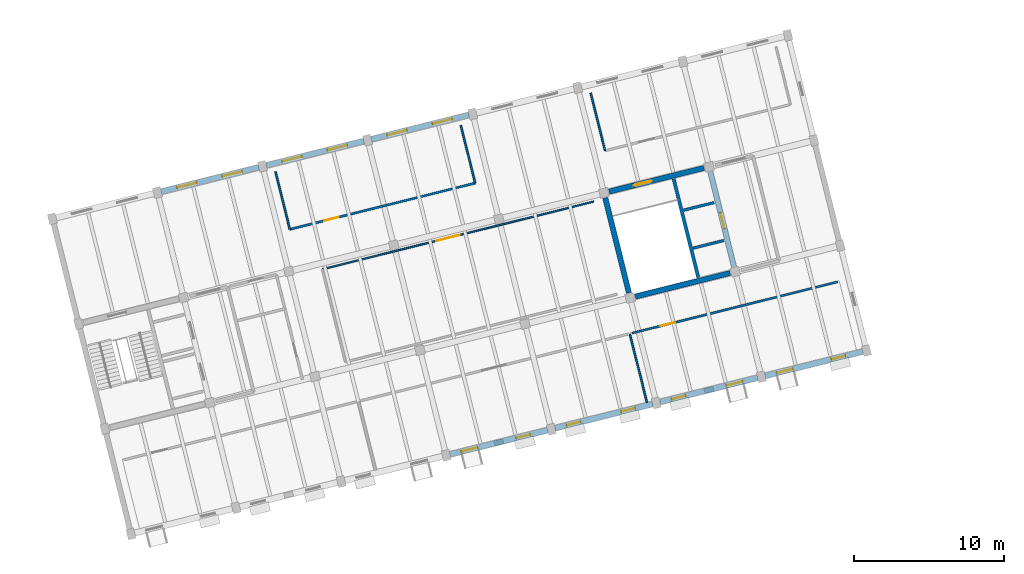
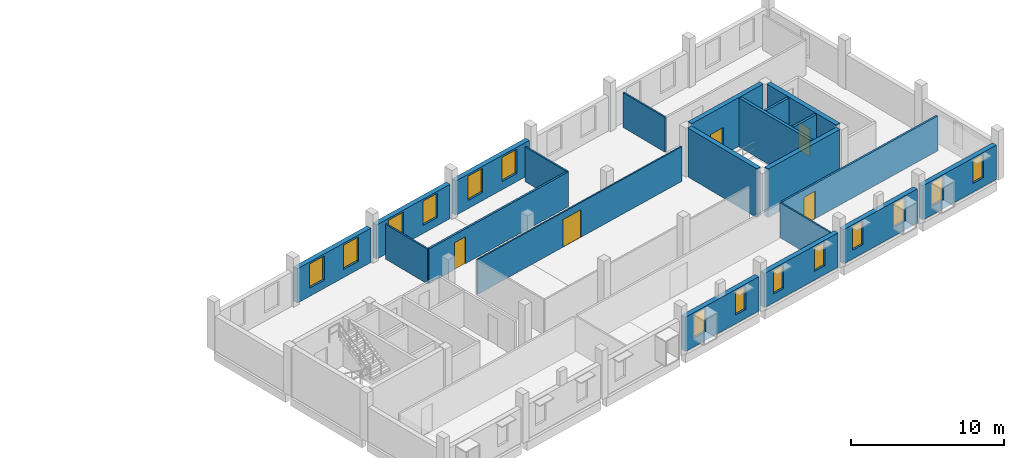
# One storey, part 7 of 14: 21 walls, 14 windows, 5 doors, 19 openings.
"""IFC4 building model written with IfcOpenShell, lengths in metres."""

import ifcopenshell
import ifcopenshell.guid

model = None  # the IFC model being written
_history = None  # IfcOwnerHistory: only IFC2X3 demands one
_inside = {}  # id of a spatial element -> (the spatial element, [elements in it])
_under = {}  # id of a project, library or spatial element -> (it, [spatial elements below it])
_declared = {}  # id of a project -> (the project, [libraries it declares])
_typed = {}  # id of a type object -> (the type object, [elements of that type])
_made_of = {}  # id of a material, layer set ... -> (it, [elements and type objects made of it])


def new_model(schema):
    """Start an empty IFC model of exactly this schema.

    Asked for "IFC4X3", IfcOpenShell would pick the latest addendum, in which some entities
    have other attributes; the version numbers below select the first issue.
    IFC2X3 requires an IfcOwnerHistory on every rooted entity: one is made here for all.
    """
    global model, _history
    if schema == "IFC4X3":
        model = ifcopenshell.file(schema_version=(4, 3, 0, 0))
    else:
        model = ifcopenshell.file(schema=schema)
    _inside.clear()
    _under.clear()
    _declared.clear()
    _typed.clear()
    _made_of.clear()
    _history = None
    if model.schema == "IFC2X3":
        org = make("IfcOrganization", Name="unknown")
        user = make(
            "IfcPersonAndOrganization",
            ThePerson=make("IfcPerson", FamilyName="unknown"),
            TheOrganization=org,
        )
        app = make(
            "IfcApplication",
            ApplicationDeveloper=org,
            Version="unknown",
            ApplicationFullName="unknown",
            ApplicationIdentifier="unknown",
        )
        _history = make(
            "IfcOwnerHistory",
            OwningUser=user,
            OwningApplication=app,
            ChangeAction="ADDED",
            CreationDate=0,
        )
    return model


def make(cls, **values):
    """One entity of the class cls with the attributes given. An attribute that is None is left unset."""
    return model.create_entity(
        cls, **{name: value for name, value in values.items() if value is not None}
    )


def rooted(cls, **values):
    """An entity with a GlobalId (a new one), such as an element, a storey or a relation."""
    return make(cls, GlobalId=ifcopenshell.guid.new(), OwnerHistory=_history, **values)


def si_unit(unit_type, name, prefix=None):
    """IfcSIUnit, for example si_unit("LENGTHUNIT", "METRE", prefix="MILLI")."""
    return make("IfcSIUnit", UnitType=unit_type, Prefix=prefix, Name=name)


def assignment(units):
    """IfcUnitAssignment: the units of a project."""
    return None if units is None else make("IfcUnitAssignment", Units=units)


def point(xyz):
    """IfcCartesianPoint."""
    return None if xyz is None else make("IfcCartesianPoint", Coordinates=xyz)


def direction(xyz):
    """IfcDirection."""
    return None if xyz is None else make("IfcDirection", DirectionRatios=xyz)


def frame(location, z_axis=None, x_axis=None):
    """IfcAxis2Placement3D, a coordinate frame: its origin and axes. An axis left out is left unset."""
    return make(
        "IfcAxis2Placement3D",
        Location=point(location),
        Axis=direction(z_axis),
        RefDirection=direction(x_axis),
    )


def frame_2d(location, x_axis=None):
    """IfcAxis2Placement2D, a coordinate frame in the plane: its origin and x axis."""
    return make(
        "IfcAxis2Placement2D", Location=point(location), RefDirection=direction(x_axis)
    )


def origin():
    """The frame at (0, 0, 0) with its axes left unset."""
    return frame((0.0, 0.0, 0.0))


def place(relative_to, where):
    """IfcLocalPlacement: puts the frame where relative to a parent placement (None: the world)."""
    return make(
        "IfcLocalPlacement", PlacementRelTo=relative_to, RelativePlacement=where
    )


def context(
    kind, dimensions, precision=None, world=None, true_north=None, identifier=None
):
    """IfcGeometricRepresentationContext, for example the 3D "Model" context."""
    return make(
        "IfcGeometricRepresentationContext",
        ContextIdentifier=identifier,
        ContextType=kind,
        CoordinateSpaceDimension=dimensions,
        Precision=precision,
        WorldCoordinateSystem=world,
        TrueNorth=true_north,
    )


def subcontext(parent, identifier, kind, view, scale=None):
    """IfcGeometricRepresentationSubContext, for example "Body" below "Model"."""
    return make(
        "IfcGeometricRepresentationSubContext",
        ContextIdentifier=identifier,
        ContextType=kind,
        ParentContext=parent,
        TargetScale=scale,
        TargetView=view,
    )


def project(units=None, contexts=None):
    """IfcProject with its units and contexts."""
    return rooted(
        "IfcProject",
        Name="project",
        RepresentationContexts=contexts,
        UnitsInContext=assignment(units),
    )


def spatial(cls, under=None, at=None, **own):
    """A site, building, storey or space (cls), placed at a placement, below another one or the project."""
    s = rooted(cls, ObjectPlacement=at, **own)
    if under is not None:
        _under.setdefault(under.id(), (under, []))[1].append(s)
    return s


def profile(cls, at=None, kind="AREA", **sizes):
    """A parametric profile (cls). Its sizes go by their IFC names, for example OverallWidth=200.0."""
    return make(cls, ProfileType=kind, Position=at, **sizes)


def rectangle(**sizes):
    """IfcRectangleProfileDef."""
    return profile("IfcRectangleProfileDef", **sizes)


def extrude(swept, where, along, depth):
    """IfcExtrudedAreaSolid: the profile swept, set in the frame where, extruded along a direction by depth."""
    return make(
        "IfcExtrudedAreaSolid",
        SweptArea=swept,
        Position=where,
        ExtrudedDirection=direction(along),
        Depth=depth,
    )


def shape(context_of_items, identifier, shape_type, items):
    """IfcShapeRepresentation: the items that make up one representation, for example the "Body"."""
    return make(
        "IfcShapeRepresentation",
        ContextOfItems=context_of_items,
        RepresentationIdentifier=identifier,
        RepresentationType=shape_type,
        Items=items,
    )


def material(Name=None, Category=None):
    """IfcMaterial."""
    return make("IfcMaterial", Name=Name, Category=Category)


def layer(
    of_material, thickness, ventilated=None, Name=None, Category=None, Priority=None
):
    """IfcMaterialLayer: one layer of a wall or slab, of a material (None: an air gap)."""
    return make(
        "IfcMaterialLayer",
        Material=of_material,
        LayerThickness=thickness,
        IsVentilated=ventilated,
        Name=Name,
        Category=Category,
        Priority=Priority,
    )


def layer_set(layers, Name=None):
    """IfcMaterialLayerSet."""
    return make("IfcMaterialLayerSet", MaterialLayers=layers, LayerSetName=Name)


def made_of(thing, what):
    """Note that an element or type object is made of a material, layer set ...; save() writes the relation."""
    if what is not None:
        _made_of.setdefault(what.id(), (what, []))[1].append(thing)
    return thing


def type_object(cls, material=None, **own):
    """A type object (cls), such as IfcWallType, which elements share."""
    return made_of(rooted(cls, **own), material)


def element(
    cls,
    number,
    at=None,
    inside=None,
    cuts=None,
    type_object=None,
    material=None,
    context=None,
    identifier="Body",
    shape_type=None,
    held_by="IfcProductDefinitionShape",
    body=None,
    shapes=None,
    **own,
):
    """One element of the class cls, such as IfcWall. Its Tag is "e" and its number.

    at: its placement. inside: the storey or other place that contains it. cuts: it is an
    opening in that element (IfcRelVoidsElement). A single representation is given by context,
    identifier, shape_type and body (its items); several are given by shapes. held_by: the class
    of the entity that holds the representations. save() writes the other relations.
    """
    e = rooted(cls, Tag="e%d" % number, ObjectPlacement=at, **own)
    if body is not None:
        shapes = [shape(context, identifier, shape_type, body)]
    if shapes is not None:
        e.Representation = make(held_by, Representations=shapes)
    if inside is not None:
        _inside.setdefault(inside.id(), (inside, []))[1].append(e)
    if cuts is not None:
        rooted(
            "IfcRelVoidsElement", RelatingBuildingElement=cuts, RelatedOpeningElement=e
        )
    if type_object is not None:
        _typed.setdefault(type_object.id(), (type_object, []))[1].append(e)
    return made_of(e, material)


def fill(opening, filler):
    """IfcRelFillsElement: the door or window that sits in an opening."""
    return rooted(
        "IfcRelFillsElement",
        RelatingOpeningElement=opening,
        RelatedBuildingElement=filler,
    )


def aggregate(whole, parts):
    """IfcRelAggregates: a whole, such as a stair, and the parts it consists of."""
    return rooted("IfcRelAggregates", RelatingObject=whole, RelatedObjects=parts)


def save(model, path):
    """Write the relations noted so far, then the file.

    IfcRelAggregates (storeys below a building ...), IfcRelContainedInSpatialStructure (elements
    in a storey), IfcRelDefinesByType, IfcRelAssociatesMaterial and IfcRelDeclares: one each for
    every whole, place, type object, material and project.
    """
    for whole, parts in _under.values():
        aggregate(whole, parts)
    for where, things in _inside.values():
        rooted(
            "IfcRelContainedInSpatialStructure",
            RelatedElements=things,
            RelatingStructure=where,
        )
    for kind, things in _typed.values():
        rooted("IfcRelDefinesByType", RelatedObjects=things, RelatingType=kind)
    for what, things in _made_of.values():
        rooted("IfcRelAssociatesMaterial", RelatedObjects=things, RelatingMaterial=what)
    for by, libraries in _declared.values():
        rooted("IfcRelDeclares", RelatingContext=by, RelatedDefinitions=libraries)
    model.write(path)


model = new_model("IFC4")

# Units and contexts
model_context = context("Model", 3, precision=1e-05, world=origin(), true_north=direction((0.0, 1.0)))
body_context = subcontext(model_context, "Body", "Model", "MODEL_VIEW")
ifc_project = project(units=[si_unit("LENGTHUNIT", "METRE"), si_unit("AREAUNIT", "SQUARE_METRE"), si_unit("VOLUMEUNIT", "CUBIC_METRE"), si_unit("PLANEANGLEUNIT", "RADIAN"), si_unit("MASSUNIT", "GRAM", prefix="KILO")], contexts=[model_context])

# Site, building, storey
site_placement = place(None, origin())
site = spatial("IfcSite", under=ifc_project, at=site_placement, CompositionType="ELEMENT")
building_placement = place(site_placement, origin())
building = spatial("IfcBuilding", under=site, at=building_placement, Name="Qiaolan Assembly House", CompositionType="ELEMENT")
storey_placement = place(building_placement, frame((0.0, 0.0, 22.5)))
storey = spatial("IfcBuildingStorey", under=building, at=storey_placement, Name="L05", CompositionType="ELEMENT", Elevation=22.5)

# Wall
ifc_material_1 = material(Name="Concrete C40/50", Category="concrete")
ifc_layer_1 = layer(ifc_material_1, 0.35009765625)
ifc_layer_set_1 = layer_set([ifc_layer_1], Name="Concrete C40/50")
wall_type_1 = type_object("IfcWallType", Name="WAL-CORE-350", PredefinedType="SHEAR", material=ifc_layer_set_1)
wall_1_placement = place(storey_placement, frame((76.5146484375, 17.521728515625, 0.0), z_axis=(0.0, 0.0, 1.0), x_axis=(0.970294759049, 0.241925774902, 0.0)))
element("IfcWall", 1, at=wall_1_placement, inside=storey, type_object=wall_type_1, Name="CW-350 shear core wall CORE-D S L05", PredefinedType="SHEAR", context=body_context, shape_type="SweptSolid", body=[
    extrude(rectangle(XDim=6.5, YDim=0.35009765625, at=frame_2d((3.25, 0.0))), origin(), (0.0, 0.0, 1.0), 3.89990234375),
])

# Wall, opening, door
wall_2_placement = place(storey_placement, frame((83.076416015625, 19.5185546875, 0.0), z_axis=(0.0, 0.0, 1.0), x_axis=(-0.241925774902, 0.970294759049, 0.0)))
wall_2 = element("IfcWall", 2, at=wall_2_placement, inside=storey, type_object=wall_type_1, Name="CW-350 shear core wall CORE-D E L05", PredefinedType="SHEAR", context=body_context, shape_type="SweptSolid", body=[
    extrude(rectangle(XDim=6.5, YDim=0.35009765625, at=frame_2d((3.25, 0.0))), origin(), (0.0, 0.0, 1.0), 3.89990234375),
])
opening_1_placement = place(wall_2_placement, frame((2.60009765625, 0.0, 0.0)))
opening_1 = element("IfcOpeningElement", 3, at=opening_1_placement, cuts=wall_2, Name="Opening LD-063", PredefinedType="OPENING", context=body_context, shape_type="SweptSolid", body=[
    extrude(rectangle(XDim=1.10009765625, YDim=2.199951171875, at=frame_2d((0.550048828125, 1.10009765625))), frame((0.0, 0.18505859375, 0.0), z_axis=(0.0, -1.0, 0.0), x_axis=(1.0, 0.0, 0.0)), (0.0, 0.0, 1.0), 0.3701171875),
])
ifc_material_2 = material(Name="Anodised bronze aluminium", Category="aluminium")
door_type_1 = type_object("IfcDoorType", Name="DOR-LIFT-LD1100", OperationType="SLIDING_TO_LEFT", PredefinedType="DOOR", material=ifc_material_2)
door_1_placement = place(opening_1_placement, origin())
door_1 = element("IfcDoor", 4, at=door_1_placement, inside=storey, type_object=door_type_1, Name="Lift landing door LD-063 (LF-08 L05)", OperationType="SLIDING_TO_LEFT", OverallHeight=2.199951171875, OverallWidth=1.10009765625, PredefinedType="DOOR", context=body_context, shape_type="SweptSolid", body=[
    extrude(rectangle(XDim=1.10009765625, YDim=2.199951171875, at=frame_2d((0.550048828125, 1.10009765625))), frame((0.0, 0.02490234375, 0.0), z_axis=(0.0, -1.0, 0.0), x_axis=(1.0, 0.0, 0.0)), (0.0, 0.0, 1.0), 0.050048828125),
])
fill(opening_1, door_1)

wall_3_placement = place(storey_placement, frame((81.07958984375, 26.08056640625, 0.0), z_axis=(0.0, 0.0, 1.0), x_axis=(-0.970294759049, -0.241925774902, 0.0)))
wall_3 = element("IfcWall", 5, at=wall_3_placement, inside=storey, type_object=wall_type_1, Name="CW-350 shear core wall CORE-D N L05", PredefinedType="SHEAR", context=body_context, shape_type="SweptSolid", body=[
    extrude(rectangle(XDim=6.5, YDim=0.35009765625, at=frame_2d((3.25, 0.0))), origin(), (0.0, 0.0, 1.0), 3.89990234375),
])
opening_2_placement = place(wall_3_placement, frame((3.60009765625, 0.0, 0.0)))
opening_2 = element("IfcOpeningElement", 6, at=opening_2_placement, cuts=wall_3, Name="Opening FD-105", PredefinedType="OPENING", context=body_context, shape_type="SweptSolid", body=[
    extrude(rectangle(XDim=1.199951171875, YDim=2.199951171875, at=frame_2d((0.60009765625, 1.10009765625))), frame((0.0, 0.18505859375, 0.0), z_axis=(0.0, -1.0, 0.0), x_axis=(1.0, 0.0, 0.0)), (0.0, 0.0, 1.0), 0.3701171875),
])
ifc_material_3 = material(Name="Steel Q355B", Category="steel")
door_type_2 = type_object("IfcDoorType", Name="DOR-FIRE-FD90-1200", OperationType="NOTDEFINED", PredefinedType="DOOR", material=ifc_material_3)
door_2_placement = place(opening_2_placement, frame((1.199951171875, 0.0, 0.0), z_axis=(0.0, 0.0, 1.0), x_axis=(-1.0, 0.0, 0.0)))
door_2 = element("IfcDoor", 7, at=door_2_placement, inside=storey, type_object=door_type_2, Name="Stairwell fire door FD-105 (CORE-D L05)", OperationType="SINGLE_SWING_RIGHT", OverallHeight=2.199951171875, OverallWidth=1.199951171875, PredefinedType="DOOR", context=body_context, shape_type="SweptSolid", body=[
    extrude(rectangle(XDim=1.199951171875, YDim=2.199951171875, at=frame_2d((0.60009765625, 1.10009765625))), frame((0.0, 0.02490234375, 0.0), z_axis=(0.0, -1.0, 0.0), x_axis=(1.0, 0.0, 0.0)), (0.0, 0.0, 1.0), 0.050048828125),
])
fill(opening_2, door_2)

# Wall
wall_4_placement = place(storey_placement, frame((74.517822265625, 24.083740234375, 0.0), z_axis=(0.0, 0.0, 1.0), x_axis=(0.241925774902, -0.970294759049, 0.0)))
element("IfcWall", 8, at=wall_4_placement, inside=storey, type_object=wall_type_1, Name="CW-350 shear core wall CORE-D W L05", PredefinedType="SHEAR", context=body_context, shape_type="SweptSolid", body=[
    extrude(rectangle(XDim=6.5, YDim=0.35009765625, at=frame_2d((3.25, 0.0))), origin(), (0.0, 0.0, 1.0), 3.89990234375),
])

# Wall, openings, windows
ifc_material_4 = material(Name="Honed pale limestone", Category="masonry")
ifc_layer_2 = layer(ifc_material_4, 0.360107421875)
ifc_layer_set_2 = layer_set([ifc_layer_2], Name="Honed pale limestone")
wall_type_2 = type_object("IfcWallType", Name="WAL-EXT-LIMESTONE-360", PredefinedType="SOLIDWALL", material=ifc_layer_set_2)
wall_5_placement = place(storey_placement, frame((64.19482421875, 7.02978515625, 0.0), z_axis=(0.0, 0.0, 1.0), x_axis=(0.970299141957, 0.24190819564, 0.0)))
wall_5 = element("IfcWall", 9, at=wall_5_placement, inside=storey, type_object=wall_type_2, Name="EW-360 SE South boulevard wall L05 bay 4", PredefinedType="SOLIDWALL", context=body_context, shape_type="SweptSolid", body=[
    extrude(rectangle(XDim=6.68408203125, YDim=0.360107421875, at=frame_2d((3.342041015625, 0.0))), origin(), (0.0, 0.0, 1.0), 2.739990234375),
])
opening_3_placement = place(wall_5_placement, frame((0.7919921875, 0.0, 0.699951171875)))
opening_3 = element("IfcOpeningElement", 10, at=opening_3_placement, cuts=wall_5, Name="Opening WN-376", PredefinedType="OPENING", context=body_context, shape_type="SweptSolid", body=[
    extrude(rectangle(XDim=1.10009765625, YDim=1.889892578125, at=frame_2d((0.550048828125, 0.94482421875))), frame((0.0, 0.18994140625, 0.0), z_axis=(0.0, -1.0, 0.0), x_axis=(1.0, 0.0, 0.0)), (0.0, 0.0, 1.0), 0.380126953125),
])
opening_4_placement = place(wall_5_placement, frame((4.5419921875, 0.0, 0.699951171875)))
opening_4 = element("IfcOpeningElement", 11, at=opening_4_placement, cuts=wall_5, Name="Opening WN-377", PredefinedType="OPENING", context=body_context, shape_type="SweptSolid", body=[
    extrude(rectangle(XDim=0.949951171875, YDim=1.889892578125, at=frame_2d((0.47509765625, 0.94482421875))), frame((0.0, 0.18994140625, 0.0), z_axis=(0.0, -1.0, 0.0), x_axis=(1.0, 0.0, 0.0)), (0.0, 0.0, 1.0), 0.380126953125),
])
ifc_material_5 = material(Name="Low-E double insulating glass", Category="glass")
window_type_1 = type_object("IfcWindowType", Name="WIN-BOX-1100x2350", PartitioningType="SINGLE_PANEL", PredefinedType="WINDOW", material=ifc_material_5)
window_1_placement = place(opening_3_placement, origin())
window_1 = element("IfcWindow", 12, at=window_1_placement, inside=storey, type_object=window_type_1, Name="WN-T11 splayed window WN-376", OverallHeight=1.889892578125, OverallWidth=1.10009765625, PartitioningType="SINGLE_PANEL", PredefinedType="WINDOW", context=body_context, shape_type="SweptSolid", body=[
    extrude(rectangle(XDim=1.10009765625, YDim=1.889892578125, at=frame_2d((0.550048828125, 0.94482421875))), frame((0.0, 0.030029296875, 0.0), z_axis=(0.0, -1.0, 0.0), x_axis=(1.0, 0.0, 0.0)), (0.0, 0.0, 1.0), 0.06005859375),
])
fill(opening_3, window_1)
window_type_2 = type_object("IfcWindowType", Name="WIN-PUNCH-950x2150", PartitioningType="SINGLE_PANEL", PredefinedType="WINDOW", material=ifc_material_5)
window_2_placement = place(opening_4_placement, origin())
window_2 = element("IfcWindow", 13, at=window_2_placement, inside=storey, type_object=window_type_2, Name="WN-T14 splayed window WN-377", OverallHeight=1.889892578125, OverallWidth=0.949951171875, PartitioningType="SINGLE_PANEL", PredefinedType="WINDOW", context=body_context, shape_type="SweptSolid", body=[
    extrude(rectangle(XDim=0.949951171875, YDim=1.889892578125, at=frame_2d((0.47509765625, 0.94482421875))), frame((0.0, 0.030029296875, 0.0), z_axis=(0.0, -1.0, 0.0), x_axis=(1.0, 0.0, 0.0)), (0.0, 0.0, 1.0), 0.06005859375),
])
fill(opening_4, window_2)

wall_6_placement = place(storey_placement, frame((71.180908203125, 8.771484375, 0.0), z_axis=(0.0, 0.0, 1.0), x_axis=(0.970290568044, 0.2419425832, 0.0)))
wall_6 = element("IfcWall", 14, at=wall_6_placement, inside=storey, type_object=wall_type_2, Name="EW-360 SE South boulevard wall L05 bay 5", PredefinedType="SOLIDWALL", context=body_context, shape_type="SweptSolid", body=[
    extrude(rectangle(XDim=6.68408203125, YDim=0.360107421875, at=frame_2d((3.342041015625, 0.0))), origin(), (0.0, 0.0, 1.0), 2.739990234375),
])
opening_5_placement = place(wall_6_placement, frame((0.7919921875, 0.0, 0.699951171875)))
opening_5 = element("IfcOpeningElement", 15, at=opening_5_placement, cuts=wall_6, Name="Opening WN-378", PredefinedType="OPENING", context=body_context, shape_type="SweptSolid", body=[
    extrude(rectangle(XDim=0.949951171875, YDim=1.889892578125, at=frame_2d((0.47509765625, 0.94482421875))), frame((0.0, 0.18994140625, 0.0), z_axis=(0.0, -1.0, 0.0), x_axis=(1.0, 0.0, 0.0)), (0.0, 0.0, 1.0), 0.380126953125),
])
opening_6_placement = place(wall_6_placement, frame((4.5419921875, 0.0, 0.699951171875)))
opening_6 = element("IfcOpeningElement", 16, at=opening_6_placement, cuts=wall_6, Name="Opening WN-379", PredefinedType="OPENING", context=body_context, shape_type="SweptSolid", body=[
    extrude(rectangle(XDim=0.949951171875, YDim=1.889892578125, at=frame_2d((0.47509765625, 0.94482421875))), frame((0.0, 0.18994140625, 0.0), z_axis=(0.0, -1.0, 0.0), x_axis=(1.0, 0.0, 0.0)), (0.0, 0.0, 1.0), 0.380126953125),
])
window_3_placement = place(opening_5_placement, origin())
window_3 = element("IfcWindow", 17, at=window_3_placement, inside=storey, type_object=window_type_2, Name="WN-T14 splayed window WN-378", OverallHeight=1.889892578125, OverallWidth=0.949951171875, PartitioningType="SINGLE_PANEL", PredefinedType="WINDOW", context=body_context, shape_type="SweptSolid", body=[
    extrude(rectangle(XDim=0.949951171875, YDim=1.889892578125, at=frame_2d((0.47509765625, 0.94482421875))), frame((0.0, 0.030029296875, 0.0), z_axis=(0.0, -1.0, 0.0), x_axis=(1.0, 0.0, 0.0)), (0.0, 0.0, 1.0), 0.06005859375),
])
fill(opening_5, window_3)
window_4_placement = place(opening_6_placement, origin())
window_4 = element("IfcWindow", 18, at=window_4_placement, inside=storey, type_object=window_type_2, Name="WN-T14 splayed window WN-379", OverallHeight=1.889892578125, OverallWidth=0.949951171875, PartitioningType="SINGLE_PANEL", PredefinedType="WINDOW", context=body_context, shape_type="SweptSolid", body=[
    extrude(rectangle(XDim=0.949951171875, YDim=1.889892578125, at=frame_2d((0.47509765625, 0.94482421875))), frame((0.0, 0.030029296875, 0.0), z_axis=(0.0, -1.0, 0.0), x_axis=(1.0, 0.0, 0.0)), (0.0, 0.0, 1.0), 0.06005859375),
])
fill(opening_6, window_4)

wall_7_placement = place(storey_placement, frame((78.1669921875, 10.513427734375, 0.0), z_axis=(0.0, 0.0, 1.0), x_axis=(0.970299141957, 0.24190819564, 0.0)))
wall_7 = element("IfcWall", 19, at=wall_7_placement, inside=storey, type_object=wall_type_2, Name="EW-360 SE South boulevard wall L05 bay 6", PredefinedType="SOLIDWALL", context=body_context, shape_type="SweptSolid", body=[
    extrude(rectangle(XDim=6.68408203125, YDim=0.360107421875, at=frame_2d((3.342041015625, 0.0))), origin(), (0.0, 0.0, 1.0), 2.739990234375),
])
opening_7_placement = place(wall_7_placement, frame((0.7919921875, 0.0, 0.699951171875)))
opening_7 = element("IfcOpeningElement", 20, at=opening_7_placement, cuts=wall_7, Name="Opening WN-380", PredefinedType="OPENING", context=body_context, shape_type="SweptSolid", body=[
    extrude(rectangle(XDim=0.949951171875, YDim=1.889892578125, at=frame_2d((0.47509765625, 0.94482421875))), frame((0.0, 0.18994140625, 0.0), z_axis=(0.0, -1.0, 0.0), x_axis=(1.0, 0.0, 0.0)), (0.0, 0.0, 1.0), 0.380126953125),
])
opening_8_placement = place(wall_7_placement, frame((4.5419921875, 0.0, 0.699951171875)))
opening_8 = element("IfcOpeningElement", 21, at=opening_8_placement, cuts=wall_7, Name="Opening WN-381", PredefinedType="OPENING", context=body_context, shape_type="SweptSolid", body=[
    extrude(rectangle(XDim=1.10009765625, YDim=1.889892578125, at=frame_2d((0.550048828125, 0.94482421875))), frame((0.0, 0.18994140625, 0.0), z_axis=(0.0, -1.0, 0.0), x_axis=(1.0, 0.0, 0.0)), (0.0, 0.0, 1.0), 0.380126953125),
])
window_5_placement = place(opening_8_placement, origin())
window_5 = element("IfcWindow", 22, at=window_5_placement, inside=storey, type_object=window_type_1, Name="WN-T11 splayed window WN-381", OverallHeight=1.889892578125, OverallWidth=1.10009765625, PartitioningType="SINGLE_PANEL", PredefinedType="WINDOW", context=body_context, shape_type="SweptSolid", body=[
    extrude(rectangle(XDim=1.10009765625, YDim=1.889892578125, at=frame_2d((0.550048828125, 0.94482421875))), frame((0.0, 0.030029296875, 0.0), z_axis=(0.0, -1.0, 0.0), x_axis=(1.0, 0.0, 0.0)), (0.0, 0.0, 1.0), 0.06005859375),
])
fill(opening_8, window_5)
window_6_placement = place(opening_7_placement, origin())
window_6 = element("IfcWindow", 23, at=window_6_placement, inside=storey, type_object=window_type_2, Name="WN-T14 splayed window WN-380", OverallHeight=1.889892578125, OverallWidth=0.949951171875, PartitioningType="SINGLE_PANEL", PredefinedType="WINDOW", context=body_context, shape_type="SweptSolid", body=[
    extrude(rectangle(XDim=0.949951171875, YDim=1.889892578125, at=frame_2d((0.47509765625, 0.94482421875))), frame((0.0, 0.030029296875, 0.0), z_axis=(0.0, -1.0, 0.0), x_axis=(1.0, 0.0, 0.0)), (0.0, 0.0, 1.0), 0.06005859375),
])
fill(opening_7, window_6)

wall_8_placement = place(storey_placement, frame((85.1533203125, 12.25537109375, 0.0), z_axis=(0.0, 0.0, 1.0), x_axis=(0.970297004388, 0.241916769314, 0.0)))
wall_8 = element("IfcWall", 24, at=wall_8_placement, inside=storey, type_object=wall_type_2, Name="EW-360 SE South boulevard wall L05 bay 7", PredefinedType="SOLIDWALL", context=body_context, shape_type="SweptSolid", body=[
    extrude(rectangle(XDim=6.683837890625, YDim=0.360107421875, at=frame_2d((3.341796875, 0.0))), origin(), (0.0, 0.0, 1.0), 2.739990234375),
])
opening_9_placement = place(wall_8_placement, frame((0.7919921875, 0.0, 0.699951171875)))
opening_9 = element("IfcOpeningElement", 25, at=opening_9_placement, cuts=wall_8, Name="Opening WN-382", PredefinedType="OPENING", context=body_context, shape_type="SweptSolid", body=[
    extrude(rectangle(XDim=1.10009765625, YDim=1.889892578125, at=frame_2d((0.550048828125, 0.94482421875))), frame((0.0, 0.18994140625, 0.0), z_axis=(0.0, -1.0, 0.0), x_axis=(1.0, 0.0, 0.0)), (0.0, 0.0, 1.0), 0.380126953125),
])
opening_10_placement = place(wall_8_placement, frame((4.5419921875, 0.0, 0.699951171875)))
opening_10 = element("IfcOpeningElement", 26, at=opening_10_placement, cuts=wall_8, Name="Opening WN-383", PredefinedType="OPENING", context=body_context, shape_type="SweptSolid", body=[
    extrude(rectangle(XDim=0.949951171875, YDim=1.889892578125, at=frame_2d((0.47509765625, 0.94482421875))), frame((0.0, 0.18994140625, 0.0), z_axis=(0.0, -1.0, 0.0), x_axis=(1.0, 0.0, 0.0)), (0.0, 0.0, 1.0), 0.380126953125),
])
window_7_placement = place(opening_9_placement, origin())
window_7 = element("IfcWindow", 27, at=window_7_placement, inside=storey, type_object=window_type_1, Name="WN-T11 splayed window WN-382", OverallHeight=1.889892578125, OverallWidth=1.10009765625, PartitioningType="SINGLE_PANEL", PredefinedType="WINDOW", context=body_context, shape_type="SweptSolid", body=[
    extrude(rectangle(XDim=1.10009765625, YDim=1.889892578125, at=frame_2d((0.550048828125, 0.94482421875))), frame((0.0, 0.030029296875, 0.0), z_axis=(0.0, -1.0, 0.0), x_axis=(1.0, 0.0, 0.0)), (0.0, 0.0, 1.0), 0.06005859375),
])
fill(opening_9, window_7)
window_8_placement = place(opening_10_placement, origin())
window_8 = element("IfcWindow", 28, at=window_8_placement, inside=storey, type_object=window_type_2, Name="WN-T14 splayed window WN-383", OverallHeight=1.889892578125, OverallWidth=0.949951171875, PartitioningType="SINGLE_PANEL", PredefinedType="WINDOW", context=body_context, shape_type="SweptSolid", body=[
    extrude(rectangle(XDim=0.949951171875, YDim=1.889892578125, at=frame_2d((0.47509765625, 0.94482421875))), frame((0.0, 0.030029296875, 0.0), z_axis=(0.0, -1.0, 0.0), x_axis=(1.0, 0.0, 0.0)), (0.0, 0.0, 1.0), 0.06005859375),
])
fill(opening_10, window_8)

wall_9_placement = place(storey_placement, frame((51.482421875, 26.12158203125, 0.0), z_axis=(0.0, 0.0, 1.0), x_axis=(-0.970288429886, -0.241951157942, 0.0)))
wall_9 = element("IfcWall", 29, at=wall_9_placement, inside=storey, type_object=wall_type_2, Name="EW-360 SE North court wall L05 bay 2", PredefinedType="SOLIDWALL", context=body_context, shape_type="SweptSolid", body=[
    extrude(rectangle(XDim=6.683837890625, YDim=0.360107421875, at=frame_2d((3.341796875, 0.0))), origin(), (0.0, 0.0, 1.0), 2.739990234375),
])
opening_11_placement = place(wall_9_placement, frame((1.14208984375, 0.0, 0.64990234375)))
opening_11 = element("IfcOpeningElement", 30, at=opening_11_placement, cuts=wall_9, Name="Opening WN-386", PredefinedType="OPENING", context=body_context, shape_type="SweptSolid", body=[
    extrude(rectangle(XDim=1.35009765625, YDim=1.93994140625, at=frame_2d((0.675048828125, 0.969970703125))), frame((0.0, 0.18994140625, 0.0), z_axis=(0.0, -1.0, 0.0), x_axis=(1.0, 0.0, 0.0)), (0.0, 0.0, 1.0), 0.380126953125),
])
opening_12_placement = place(wall_9_placement, frame((4.241943359375, 0.0, 0.64990234375)))
opening_12 = element("IfcOpeningElement", 31, at=opening_12_placement, cuts=wall_9, Name="Opening WN-387", PredefinedType="OPENING", context=body_context, shape_type="SweptSolid", body=[
    extrude(rectangle(XDim=1.35009765625, YDim=1.93994140625, at=frame_2d((0.675048828125, 0.969970703125))), frame((0.0, 0.18994140625, 0.0), z_axis=(0.0, -1.0, 0.0), x_axis=(1.0, 0.0, 0.0)), (0.0, 0.0, 1.0), 0.380126953125),
])
window_type_3 = type_object("IfcWindowType", Name="WIN-COURT-1350x2150", PartitioningType="DOUBLE_PANEL_VERTICAL", PredefinedType="WINDOW", material=ifc_material_5)
window_9_placement = place(opening_11_placement, origin())
window_9 = element("IfcWindow", 32, at=window_9_placement, inside=storey, type_object=window_type_3, Name="SE court window WN-386", OverallHeight=1.93994140625, OverallWidth=1.35009765625, PartitioningType="DOUBLE_PANEL_VERTICAL", PredefinedType="WINDOW", context=body_context, shape_type="SweptSolid", body=[
    extrude(rectangle(XDim=1.35009765625, YDim=1.93994140625, at=frame_2d((0.675048828125, 0.969970703125))), frame((0.0, 0.030029296875, 0.0), z_axis=(0.0, -1.0, 0.0), x_axis=(1.0, 0.0, 0.0)), (0.0, 0.0, 1.0), 0.06005859375),
])
fill(opening_11, window_9)
window_10_placement = place(opening_12_placement, origin())
window_10 = element("IfcWindow", 33, at=window_10_placement, inside=storey, type_object=window_type_3, Name="SE court window WN-387", OverallHeight=1.93994140625, OverallWidth=1.35009765625, PartitioningType="DOUBLE_PANEL_VERTICAL", PredefinedType="WINDOW", context=body_context, shape_type="SweptSolid", body=[
    extrude(rectangle(XDim=1.35009765625, YDim=1.93994140625, at=frame_2d((0.675048828125, 0.969970703125))), frame((0.0, 0.030029296875, 0.0), z_axis=(0.0, -1.0, 0.0), x_axis=(1.0, 0.0, 0.0)), (0.0, 0.0, 1.0), 0.06005859375),
])
fill(opening_12, window_10)

wall_10_placement = place(storey_placement, frame((58.46875, 27.86328125, 0.0), z_axis=(0.0, 0.0, 1.0), x_axis=(-0.970299141957, -0.24190819564, 0.0)))
wall_10 = element("IfcWall", 34, at=wall_10_placement, inside=storey, type_object=wall_type_2, Name="EW-360 SE North court wall L05 bay 3", PredefinedType="SOLIDWALL", context=body_context, shape_type="SweptSolid", body=[
    extrude(rectangle(XDim=6.68408203125, YDim=0.360107421875, at=frame_2d((3.342041015625, 0.0))), origin(), (0.0, 0.0, 1.0), 2.739990234375),
])
opening_13_placement = place(wall_10_placement, frame((1.14208984375, 0.0, 0.64990234375)))
opening_13 = element("IfcOpeningElement", 35, at=opening_13_placement, cuts=wall_10, Name="Opening WN-388", PredefinedType="OPENING", context=body_context, shape_type="SweptSolid", body=[
    extrude(rectangle(XDim=1.35009765625, YDim=1.93994140625, at=frame_2d((0.675048828125, 0.969970703125))), frame((0.0, 0.18994140625, 0.0), z_axis=(0.0, -1.0, 0.0), x_axis=(1.0, 0.0, 0.0)), (0.0, 0.0, 1.0), 0.380126953125),
])
opening_14_placement = place(wall_10_placement, frame((4.241943359375, 0.0, 0.64990234375)))
opening_14 = element("IfcOpeningElement", 36, at=opening_14_placement, cuts=wall_10, Name="Opening WN-389", PredefinedType="OPENING", context=body_context, shape_type="SweptSolid", body=[
    extrude(rectangle(XDim=1.35009765625, YDim=1.93994140625, at=frame_2d((0.675048828125, 0.969970703125))), frame((0.0, 0.18994140625, 0.0), z_axis=(0.0, -1.0, 0.0), x_axis=(1.0, 0.0, 0.0)), (0.0, 0.0, 1.0), 0.380126953125),
])
window_11_placement = place(opening_13_placement, origin())
window_11 = element("IfcWindow", 37, at=window_11_placement, inside=storey, type_object=window_type_3, Name="SE court window WN-388", OverallHeight=1.93994140625, OverallWidth=1.35009765625, PartitioningType="DOUBLE_PANEL_VERTICAL", PredefinedType="WINDOW", context=body_context, shape_type="SweptSolid", body=[
    extrude(rectangle(XDim=1.35009765625, YDim=1.93994140625, at=frame_2d((0.675048828125, 0.969970703125))), frame((0.0, 0.030029296875, 0.0), z_axis=(0.0, -1.0, 0.0), x_axis=(1.0, 0.0, 0.0)), (0.0, 0.0, 1.0), 0.06005859375),
])
fill(opening_13, window_11)
window_12_placement = place(opening_14_placement, origin())
window_12 = element("IfcWindow", 38, at=window_12_placement, inside=storey, type_object=window_type_3, Name="SE court window WN-389", OverallHeight=1.93994140625, OverallWidth=1.35009765625, PartitioningType="DOUBLE_PANEL_VERTICAL", PredefinedType="WINDOW", context=body_context, shape_type="SweptSolid", body=[
    extrude(rectangle(XDim=1.35009765625, YDim=1.93994140625, at=frame_2d((0.675048828125, 0.969970703125))), frame((0.0, 0.030029296875, 0.0), z_axis=(0.0, -1.0, 0.0), x_axis=(1.0, 0.0, 0.0)), (0.0, 0.0, 1.0), 0.06005859375),
])
fill(opening_14, window_12)

wall_11_placement = place(storey_placement, frame((65.454833984375, 29.605224609375, 0.0), z_axis=(0.0, 0.0, 1.0), x_axis=(-0.970290568044, -0.2419425832, 0.0)))
wall_11 = element("IfcWall", 39, at=wall_11_placement, inside=storey, type_object=wall_type_2, Name="EW-360 SE North court wall L05 bay 4", PredefinedType="SOLIDWALL", context=body_context, shape_type="SweptSolid", body=[
    extrude(rectangle(XDim=6.68408203125, YDim=0.360107421875, at=frame_2d((3.342041015625, 0.0))), origin(), (0.0, 0.0, 1.0), 2.739990234375),
])
opening_15_placement = place(wall_11_placement, frame((1.14208984375, 0.0, 0.64990234375)))
opening_15 = element("IfcOpeningElement", 40, at=opening_15_placement, cuts=wall_11, Name="Opening WN-390", PredefinedType="OPENING", context=body_context, shape_type="SweptSolid", body=[
    extrude(rectangle(XDim=1.35009765625, YDim=1.93994140625, at=frame_2d((0.675048828125, 0.969970703125))), frame((0.0, 0.18994140625, 0.0), z_axis=(0.0, -1.0, 0.0), x_axis=(1.0, 0.0, 0.0)), (0.0, 0.0, 1.0), 0.380126953125),
])
opening_16_placement = place(wall_11_placement, frame((4.241943359375, 0.0, 0.64990234375)))
opening_16 = element("IfcOpeningElement", 41, at=opening_16_placement, cuts=wall_11, Name="Opening WN-391", PredefinedType="OPENING", context=body_context, shape_type="SweptSolid", body=[
    extrude(rectangle(XDim=1.35009765625, YDim=1.93994140625, at=frame_2d((0.675048828125, 0.969970703125))), frame((0.0, 0.18994140625, 0.0), z_axis=(0.0, -1.0, 0.0), x_axis=(1.0, 0.0, 0.0)), (0.0, 0.0, 1.0), 0.380126953125),
])
window_13_placement = place(opening_15_placement, origin())
window_13 = element("IfcWindow", 42, at=window_13_placement, inside=storey, type_object=window_type_3, Name="SE court window WN-390", OverallHeight=1.93994140625, OverallWidth=1.35009765625, PartitioningType="DOUBLE_PANEL_VERTICAL", PredefinedType="WINDOW", context=body_context, shape_type="SweptSolid", body=[
    extrude(rectangle(XDim=1.35009765625, YDim=1.93994140625, at=frame_2d((0.675048828125, 0.969970703125))), frame((0.0, 0.030029296875, 0.0), z_axis=(0.0, -1.0, 0.0), x_axis=(1.0, 0.0, 0.0)), (0.0, 0.0, 1.0), 0.06005859375),
])
fill(opening_15, window_13)
window_14_placement = place(opening_16_placement, origin())
window_14 = element("IfcWindow", 43, at=window_14_placement, inside=storey, type_object=window_type_3, Name="SE court window WN-391", OverallHeight=1.93994140625, OverallWidth=1.35009765625, PartitioningType="DOUBLE_PANEL_VERTICAL", PredefinedType="WINDOW", context=body_context, shape_type="SweptSolid", body=[
    extrude(rectangle(XDim=1.35009765625, YDim=1.93994140625, at=frame_2d((0.675048828125, 0.969970703125))), frame((0.0, 0.030029296875, 0.0), z_axis=(0.0, -1.0, 0.0), x_axis=(1.0, 0.0, 0.0)), (0.0, 0.0, 1.0), 0.06005859375),
])
fill(opening_16, window_14)

# Walls
ifc_material_6 = material(Name="Gypsum plasterboard partition")
ifc_layer_3 = layer(ifc_material_6, 0.1201171875)
ifc_layer_set_3 = layer_set([ifc_layer_3], Name="Gypsum plasterboard partition")
wall_type_3 = type_object("IfcWallType", Name="WAL-PART-120", PredefinedType="PARTITIONING", material=ifc_layer_set_3)
wall_12_placement = place(storey_placement, frame((77.291015625, 10.48046875, 0.0), z_axis=(0.0, 0.0, 1.0), x_axis=(-0.241895920765, 0.97030220216, 0.0)))
element("IfcWall", 44, at=wall_12_placement, inside=storey, type_object=wall_type_3, Name="Staff Reading & Quiet Study Salon demising wall", PredefinedType="PARTITIONING", context=body_context, shape_type="SweptSolid", body=[
    extrude(rectangle(XDim=4.669921875, YDim=0.1201171875, at=frame_2d((2.3349609375, 0.0))), origin(), (0.0, 0.0, 1.0), 2.780029296875),
])
wall_13_placement = place(storey_placement, frame((53.54931640625, 21.9990234375, 0.0), z_axis=(0.0, 0.0, 1.0), x_axis=(-0.241910239337, 0.970298632434, 0.0)))
element("IfcWall", 45, at=wall_13_placement, inside=storey, type_object=wall_type_3, Name="Court Outlook Consultation Suite L05 west wall", PredefinedType="PARTITIONING", context=body_context, shape_type="SweptSolid", body=[
    extrude(rectangle(XDim=3.9501953125, YDim=0.1201171875, at=frame_2d((1.97509765625, 0.0))), origin(), (0.0, 0.0, 1.0), 2.780029296875),
])
for number, where, z_axis, x_axis, name in (
    (46, (64.91650390625, 28.904052734375, 0.0), (0.0, 0.0, 1.0), (0.241924747697, -0.970295015164, 0.0), "Court Outlook Consultation Suite L05 east wall"),
    (47, (74.507568359375, 27.224609375, 0.0), (0.0, 0.0, 1.0), (-0.241924747697, 0.970295015164, 0.0), "Boulevard Wing Project Office L05 west wall"),
):
    element("IfcWall", number, at=place(storey_placement, frame(where, z_axis=z_axis, x_axis=x_axis)), inside=storey, type_object=wall_type_3, Name=name, PredefinedType="PARTITIONING", context=body_context, shape_type="SweptSolid", body=[
        extrude(rectangle(XDim=3.949951171875, YDim=0.1201171875, at=frame_2d((1.97509765625, 0.0))), origin(), (0.0, 0.0, 1.0), 2.780029296875),
    ])

# Wall, opening, door
ifc_layer_4 = layer(ifc_material_6, 0.14990234375)
ifc_layer_set_4 = layer_set([ifc_layer_4], Name="Gypsum plasterboard partition")
wall_type_4 = type_object("IfcWallType", Name="WAL-PART-150", PredefinedType="PARTITIONING", material=ifc_layer_set_4)
wall_14_placement = place(storey_placement, frame((76.294677734375, 15.0966796875, 0.0), z_axis=(0.0, 0.0, 1.0), x_axis=(0.970295086625, 0.241924461086, 0.0)))
wall_14 = element("IfcWall", 48, at=wall_14_placement, inside=storey, type_object=wall_type_4, Name="Staff Reading & Quiet Study Salon north wall", PredefinedType="PARTITIONING", context=body_context, shape_type="SweptSolid", body=[
    extrude(rectangle(XDim=14.10009765625, YDim=0.14990234375, at=frame_2d((7.050048828125, 0.0))), origin(), (0.0, 0.0, 1.0), 2.780029296875),
])
opening_17_placement = place(wall_14_placement, frame((1.949951171875, 0.0, 0.0)))
opening_17 = element("IfcOpeningElement", 49, at=opening_17_placement, cuts=wall_14, Name="Opening SD-270", PredefinedType="OPENING", context=body_context, shape_type="SweptSolid", body=[
    extrude(rectangle(XDim=1.0, YDim=2.199951171875, at=frame_2d((0.5, 1.10009765625))), frame((0.0, 0.0849609375, 0.0), z_axis=(0.0, -1.0, 0.0), x_axis=(1.0, 0.0, 0.0)), (0.0, 0.0, 1.0), 0.169921875),
])
ifc_material_7 = material(Name="Acoustic oak panelling")
door_type_3 = type_object("IfcDoorType", Name="DOR-OFF-SGL-1000", OperationType="NOTDEFINED", PredefinedType="DOOR", material=ifc_material_7)
door_3_placement = place(opening_17_placement, origin())
door_3 = element("IfcDoor", 50, at=door_3_placement, inside=storey, type_object=door_type_3, Name="Staff Reading & Quiet Study Salon door SD-270", OperationType="SINGLE_SWING_LEFT", OverallHeight=2.199951171875, OverallWidth=1.0, PredefinedType="DOOR", context=body_context, shape_type="SweptSolid", body=[
    extrude(rectangle(XDim=1.0, YDim=2.199951171875, at=frame_2d((0.5, 1.10009765625))), frame((0.0, 0.02490234375, 0.0), z_axis=(0.0, -1.0, 0.0), x_axis=(1.0, 0.0, 0.0)), (0.0, 0.0, 1.0), 0.050048828125),
])
fill(opening_17, door_3)

wall_15_placement = place(storey_placement, frame((53.54931640625, 21.9990234375, 0.0), z_axis=(0.0, 0.0, 1.0), x_axis=(0.970293838297, 0.241929467745, 0.0)))
wall_15 = element("IfcWall", 51, at=wall_15_placement, inside=storey, type_object=wall_type_4, Name="Court Outlook Consultation Suite L05 south wall", PredefinedType="PARTITIONING", context=body_context, shape_type="SweptSolid", body=[
    extrude(rectangle(XDim=12.699951171875, YDim=0.14990234375, at=frame_2d((6.35009765625, 0.0))), origin(), (0.0, 0.0, 1.0), 2.780029296875),
])
opening_18_placement = place(wall_15_placement, frame((2.35009765625, 0.0, 0.0)))
opening_18 = element("IfcOpeningElement", 52, at=opening_18_placement, cuts=wall_15, Name="Opening SD-272", PredefinedType="OPENING", context=body_context, shape_type="SweptSolid", body=[
    extrude(rectangle(XDim=1.0, YDim=2.14990234375, at=frame_2d((0.5, 1.074951171875))), frame((0.0, 0.0849609375, 0.0), z_axis=(0.0, -1.0, 0.0), x_axis=(1.0, 0.0, 0.0)), (0.0, 0.0, 1.0), 0.169921875),
])
door_4_placement = place(opening_18_placement, origin())
door_4 = element("IfcDoor", 53, at=door_4_placement, inside=storey, type_object=door_type_3, Name="Court Outlook Consultation Suite L05 door SD-272", OperationType="SINGLE_SWING_RIGHT", OverallHeight=2.14990234375, OverallWidth=1.0, PredefinedType="DOOR", context=body_context, shape_type="SweptSolid", body=[
    extrude(rectangle(XDim=1.0, YDim=2.14990234375, at=frame_2d((0.5, 1.074951171875))), frame((0.0, 0.02490234375, 0.0), z_axis=(0.0, -1.0, 0.0), x_axis=(1.0, 0.0, 0.0)), (0.0, 0.0, 1.0), 0.050048828125),
])
fill(opening_18, door_4)

ifc_layer_5 = layer(ifc_material_5, 0.10498046875)
ifc_layer_set_5 = layer_set([ifc_layer_5], Name="Low-E double insulating glass")
wall_type_5 = type_object("IfcWallType", Name="WAL-PART-GLAZED-120", PredefinedType="PARTITIONING", material=ifc_layer_set_5)
wall_16_placement = place(storey_placement, frame((73.753662109375, 23.841552734375, 0.0), z_axis=(0.0, 0.0, 1.0), x_axis=(-0.970295954135, -0.241920981706, 0.0)))
wall_16 = element("IfcWall", 54, at=wall_16_placement, inside=storey, type_object=wall_type_5, Name="Public Audit Case Review Room glazed partition", PredefinedType="PARTITIONING", context=body_context, shape_type="SweptSolid", body=[
    extrude(rectangle(XDim=18.60009765625, YDim=0.10498046875, at=frame_2d((9.300048828125, 0.0))), origin(), (0.0, 0.0, 1.0), 2.780029296875),
])
opening_19_placement = place(wall_16_placement, frame((9.199951171875, 0.0, 0.0)))
opening_19 = element("IfcOpeningElement", 55, at=opening_19_placement, cuts=wall_16, Name="Opening SD-271", PredefinedType="OPENING", context=body_context, shape_type="SweptSolid", body=[
    extrude(rectangle(XDim=1.60009765625, YDim=2.199951171875, at=frame_2d((0.800048828125, 1.10009765625))), frame((0.0, 0.0625, 0.0), z_axis=(0.0, -1.0, 0.0), x_axis=(1.0, 0.0, 0.0)), (0.0, 0.0, 1.0), 0.125),
])
door_type_4 = type_object("IfcDoorType", Name="DOR-COMM-DBL-1600", OperationType="DOUBLE_DOOR_SINGLE_SWING", PredefinedType="DOOR", material=ifc_material_7)
door_5_placement = place(opening_19_placement, origin())
door_5 = element("IfcDoor", 56, at=door_5_placement, inside=storey, type_object=door_type_4, Name="Public Audit Case Review Room door SD-271", OperationType="DOUBLE_DOOR_SINGLE_SWING", OverallHeight=2.199951171875, OverallWidth=1.60009765625, PredefinedType="DOOR", context=body_context, shape_type="SweptSolid", body=[
    extrude(rectangle(XDim=1.60009765625, YDim=2.199951171875, at=frame_2d((0.800048828125, 1.10009765625))), frame((0.0, 0.02490234375, 0.0), z_axis=(0.0, -1.0, 0.0), x_axis=(1.0, 0.0, 0.0)), (0.0, 0.0, 1.0), 0.050048828125),
])
fill(opening_19, door_5)

# Walls
ifc_material_8 = material(Name="Concrete C35/45", Category="concrete")
ifc_layer_6 = layer(ifc_material_8, 0.18505859375)
ifc_layer_set_6 = layer_set([ifc_layer_6], Name="Concrete C35/45")
wall_type_6 = type_object("IfcWallType", Name="WAL-SHAFT-200", PredefinedType="PARTITIONING", material=ifc_layer_set_6)
for number, where, z_axis, x_axis, name in (
    (57, (80.3486328125, 20.7451171875, 0.0), (0.0, 0.0, 1.0), (0.970292765557, 0.241933770084, 0.0), "SW-200 lift shaft wall LF-08 L05 DIVS"),
    (58, (79.7197265625, 23.267822265625, 0.0), (0.0, 0.0, 1.0), (0.970292765557, 0.241933770084, 0.0), "SW-200 lift shaft wall LF-08 L05 DIVN"),
):
    element("IfcWall", number, at=place(storey_placement, frame(where, z_axis=z_axis, x_axis=x_axis)), inside=storey, type_object=wall_type_6, Name=name, PredefinedType="PARTITIONING", context=body_context, shape_type="SweptSolid", body=[
        extrude(rectangle(XDim=2.10009765625, YDim=0.18505859375, at=frame_2d((1.050048828125, 0.0))), origin(), (0.0, 0.0, 1.0), 3.89990234375),
    ])
ifc_layer_7 = layer(ifc_material_1, 0.22509765625)
ifc_layer_set_7 = layer_set([ifc_layer_7], Name="Concrete C40/50")
wall_type_7 = type_object("IfcWallType", Name="WAL-STAIR-DIV-225", PredefinedType="SHEAR", material=ifc_layer_set_7)
wall_17_placement = place(storey_placement, frame((80.701416015625, 18.79248046875, 0.0), z_axis=(0.0, 0.0, 1.0), x_axis=(-0.241898249226, 0.970301621673, 0.0)))
element("IfcWall", 59, at=wall_17_placement, inside=storey, type_object=wall_type_7, Name="SDW-225 stairwell structural spine wall CORE-D L05", PredefinedType="SHEAR", context=body_context, shape_type="SweptSolid", body=[
    extrude(rectangle(XDim=6.760009765625, YDim=0.22509765625, at=frame_2d((3.3798828125, 0.0))), origin(), (0.0, 0.0, 1.0), 3.89990234375),
])

save(model, "model.ifc")
